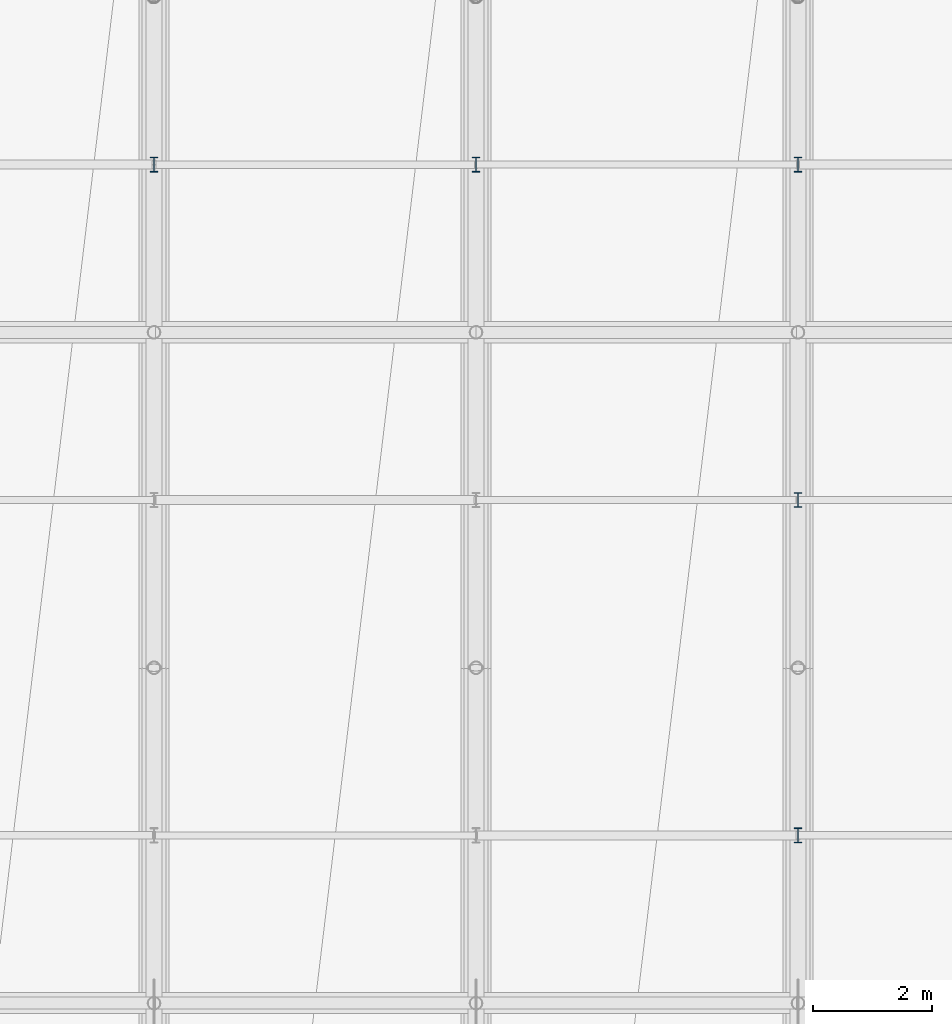
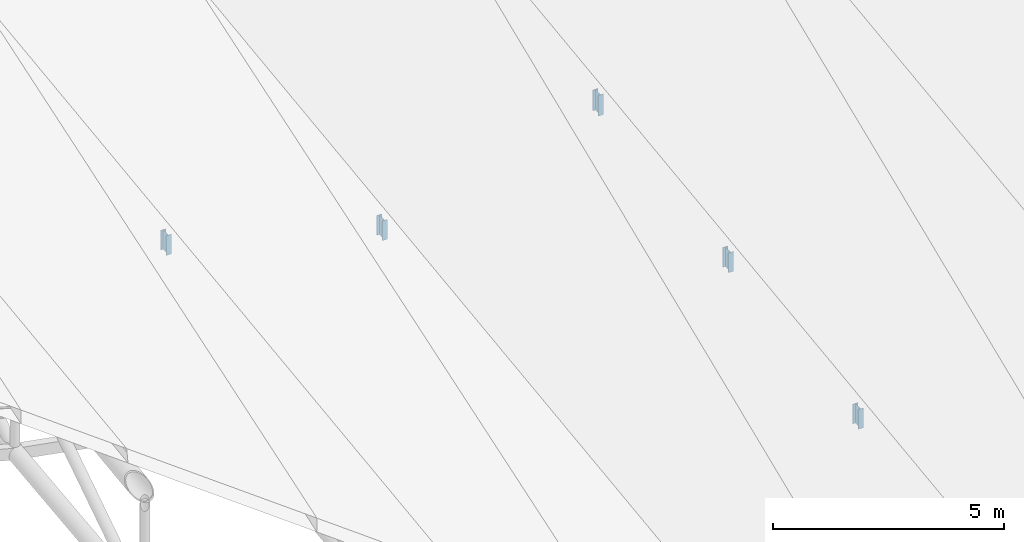
# One storey, part 68 of 109: 5 members.
"""IFC4 building model written with IfcOpenShell, lengths in metres."""

from ifc_helpers import new_model, si_unit, direction, frame, origin, origin_2d, place, context, subcontext, project, spatial, i_section, extrude, material, material_profile, profile_set, type_object, element, save


model = new_model("IFC4")

# Units and contexts
model_context = context("Model", 3, precision=1e-05, world=origin(), true_north=direction((0.0, 1.0)))
body_context = subcontext(model_context, "Body", "Model", "MODEL_VIEW")
ifc_project = project(units=[si_unit("LENGTHUNIT", "METRE"), si_unit("AREAUNIT", "SQUARE_METRE"), si_unit("VOLUMEUNIT", "CUBIC_METRE"), si_unit("PLANEANGLEUNIT", "RADIAN"), si_unit("MASSUNIT", "GRAM", prefix="KILO")], contexts=[model_context])

# Site, building, storey
site_placement = place(None, origin())
site = spatial("IfcSite", under=ifc_project, at=site_placement, CompositionType="ELEMENT")
building_placement = place(site_placement, origin())
building = spatial("IfcBuilding", under=site, at=building_placement, Name="Suirenkawa Promenade Aquatics Centre", CompositionType="ELEMENT")
storey_placement = place(building_placement, frame((0.0, 0.0, 22.800048828125)))
storey = spatial("IfcBuildingStorey", under=building, at=storey_placement, Name="ROOF", CompositionType="ELEMENT", Elevation=22.800048828125)

# Members
ifc_material = material(Name="Steel IS 2062 E350 (Grade 350)", Category="steel")
ifc_material_profile = material_profile(ifc_material, i_section(OverallWidth=0.125, OverallDepth=0.25, WebThickness=0.007080078125, FlangeThickness=0.012939453125, at=origin_2d()), Name="ISMB 250", Category="steel")
ifc_profile_set = profile_set([ifc_material_profile], Name="Steel IS 2062 E350 (Grade 350)")
member_type = type_object("IfcMemberType", Name="MT-WEB-CHS168", PredefinedType="BRACE", material=ifc_profile_set)
member_1_placement = place(storey_placement, frame((84.60009765625, 86.962890625, -9.007080078125), z_axis=(0.0, 0.0, 1.0), x_axis=(1.0, 0.0, 0.0)))
element("IfcMember", 1, at=member_1_placement, inside=storey, type_object=member_type, Name="ROOF TRUSS Purlin cleat post TD-03 MB-1918", PredefinedType="BRACE", context=body_context, shape_type="SweptSolid", body=[
    extrude(i_section(OverallWidth=0.125, OverallDepth=0.25, WebThickness=0.007080078125, FlangeThickness=0.012939453125, at=origin_2d()), origin(), (0.0, 0.0, 1.0), 0.51904296875),
])
member_2_placement = place(storey_placement, frame((90.0, 86.962890625, -10.507080078125), z_axis=(0.0, 0.0, 1.0), x_axis=(1.0, 0.0, 0.0)))
element("IfcMember", 2, at=member_2_placement, inside=storey, type_object=member_type, Name="ROOF TRUSS Purlin cleat post TD-03 MB-1954", PredefinedType="BRACE", context=body_context, shape_type="SweptSolid", body=[
    extrude(i_section(OverallWidth=0.125, OverallDepth=0.25, WebThickness=0.007080078125, FlangeThickness=0.012939453125, at=origin_2d()), origin(), (0.0, 0.0, 1.0), 0.52001953125),
])
member_3_placement = place(storey_placement, frame((95.39990234375, 75.712890625, -10.55712890625), z_axis=(0.0, 0.0, 1.0), x_axis=(1.0, 0.0, 0.0)))
element("IfcMember", 3, at=member_3_placement, inside=storey, type_object=member_type, Name="ROOF TRUSS Purlin cleat post TD-03 MB-1986", PredefinedType="BRACE", context=body_context, shape_type="SweptSolid", body=[
    extrude(i_section(OverallWidth=0.125, OverallDepth=0.25, WebThickness=0.007080078125, FlangeThickness=0.012939453125, at=origin_2d()), origin(), (0.0, 0.0, 1.0), 0.51904296875),
])
member_4_placement = place(storey_placement, frame((95.39990234375, 81.337890625, -9.83203125), z_axis=(0.0, 0.0, 1.0), x_axis=(1.0, 0.0, 0.0)))
element("IfcMember", 4, at=member_4_placement, inside=storey, type_object=member_type, Name="ROOF TRUSS Purlin cleat post TD-03 MB-1988", PredefinedType="BRACE", context=body_context, shape_type="SweptSolid", body=[
    extrude(i_section(OverallWidth=0.125, OverallDepth=0.25, WebThickness=0.007080078125, FlangeThickness=0.012939453125, at=origin_2d()), origin(), (0.0, 0.0, 1.0), 0.52099609375),
])
member_5_placement = place(storey_placement, frame((95.39990234375, 86.962890625, -9.10693359375), z_axis=(0.0, 0.0, 1.0), x_axis=(1.0, 0.0, 0.0)))
element("IfcMember", 5, at=member_5_placement, inside=storey, type_object=member_type, Name="ROOF TRUSS Purlin cleat post TD-03 MB-1990", PredefinedType="BRACE", context=body_context, shape_type="SweptSolid", body=[
    extrude(i_section(OverallWidth=0.125, OverallDepth=0.25, WebThickness=0.007080078125, FlangeThickness=0.012939453125, at=origin_2d()), origin(), (0.0, 0.0, 1.0), 0.5458984375),
])

save(model, "model.ifc")
